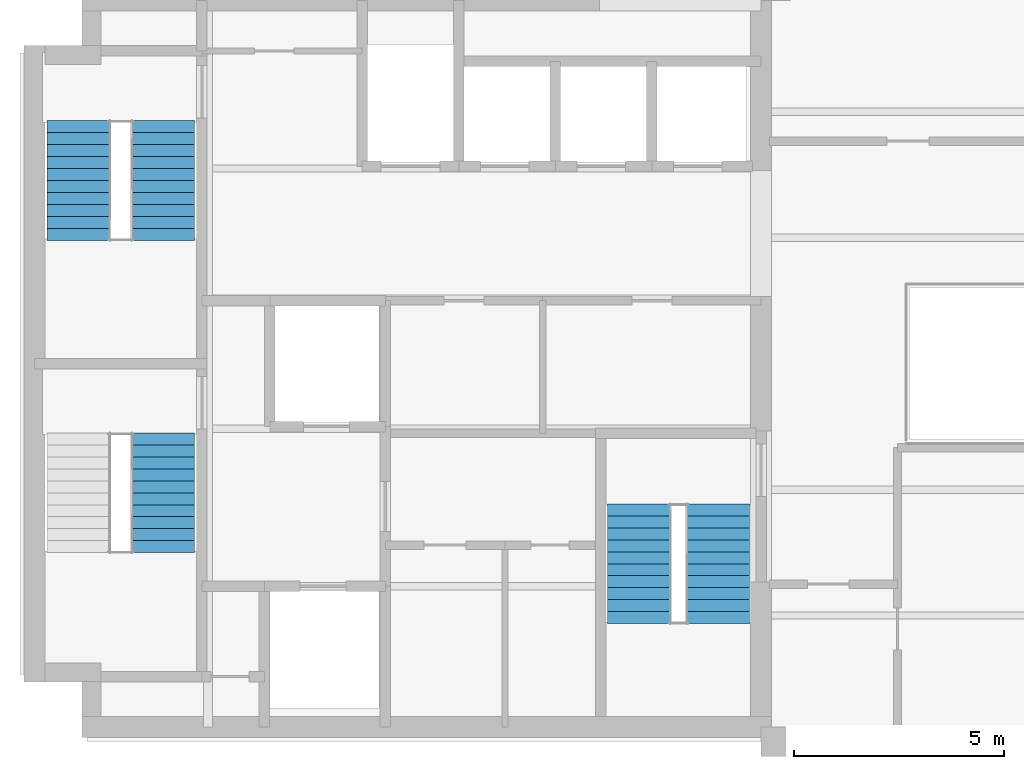
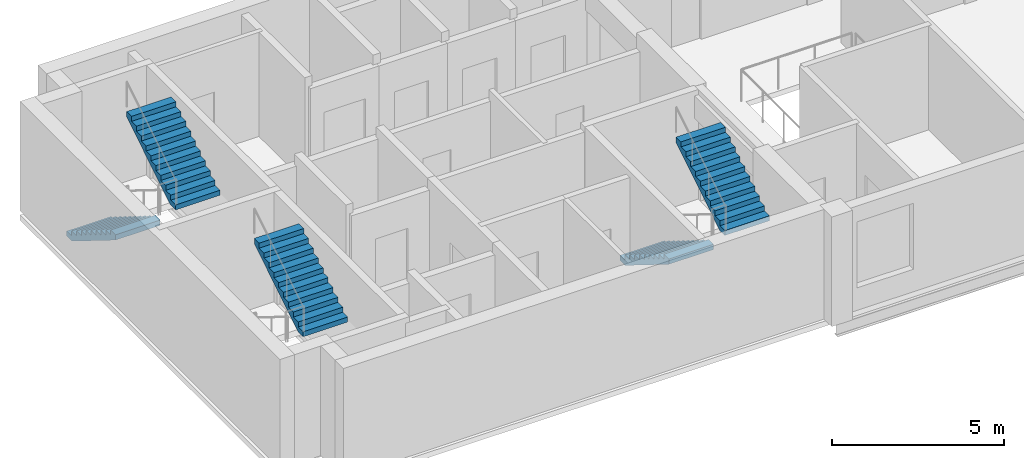
# One storey, part 4 of 5: 5 stair flights, 3 elements without a shape of their own.
"""IFC4 building model written with IfcOpenShell, lengths in metres."""

from ifc_helpers import new_model, si_unit, direction, frame, origin, place, context, subcontext, project, spatial, polyline, outline, extrude, material, type_object, element, aggregate, save


model = new_model("IFC4")

# Units and contexts
model_context = context("Model", 3, precision=1e-05, world=origin(), true_north=direction((0.0, 1.0)))
body_context = subcontext(model_context, "Body", "Model", "MODEL_VIEW")
ifc_project = project(units=[si_unit("LENGTHUNIT", "METRE"), si_unit("AREAUNIT", "SQUARE_METRE"), si_unit("VOLUMEUNIT", "CUBIC_METRE"), si_unit("PLANEANGLEUNIT", "RADIAN"), si_unit("MASSUNIT", "GRAM", prefix="KILO")], contexts=[model_context])

# Site, building, storey
site_placement = place(None, origin())
site = spatial("IfcSite", under=ifc_project, at=site_placement, CompositionType="ELEMENT")
building_placement = place(site_placement, origin())
building = spatial("IfcBuilding", under=site, at=building_placement, Name="Mawjdan Bourse Tower", CompositionType="ELEMENT")
storey_placement = place(building_placement, frame((0.0, 0.0, 297.60009765625)))
storey = spatial("IfcBuildingStorey", under=building, at=storey_placement, Name="L73", CompositionType="ELEMENT", Elevation=297.60009765625)

# Stair, stair flight
ifc_material = material(Name="Concrete C50/60", Category="concrete")
stair_type = type_object("IfcStairType", Name="STR-CORE-1500", PredefinedType="HALF_TURN_STAIR", material=ifc_material)
stair_1_placement = place(storey_placement, origin())
stair_1 = element("IfcStair", 1, at=stair_1_placement, inside=storey, type_object=stair_type, Name="L73 Exit Stair 1 (Core South-West)", PredefinedType="HALF_TURN_STAIR")
stair_flight_type = type_object("IfcStairFlightType", Name="SFL-RC-1500", PredefinedType="STRAIGHT", material=ifc_material)
stair_flight_1_placement = place(storey_placement, frame((9.409912109375, 7.5, 1.949951171875), z_axis=(0.0, 0.0, 1.0), x_axis=(0.0, 1.0, 0.0)))
stair_flight_1 = element("IfcStairFlight", 2, at=stair_flight_1_placement, type_object=stair_flight_type, Name="ST1-L73 flight 2", NumberOfRisers=11, NumberOfTreads=10, PredefinedType="STRAIGHT", RiserHeight=0.177273, TreadLength=0.285, context=body_context, shape_type="SweptSolid", body=[
    extrude(outline(polyline([(0.0, 0.0), (0.0, 0.17724609375), (0.284912109375, 0.17724609375), (0.284912109375, 0.3544921875), (0.570068359375, 0.3544921875), (0.570068359375, 0.53173828125), (0.85498046875, 0.53173828125), (0.85498046875, 0.708984375), (1.139892578125, 0.708984375), (1.139892578125, 0.886474609375), (1.425048828125, 0.886474609375), (1.425048828125, 1.063720703125), (1.7099609375, 1.063720703125), (1.7099609375, 1.240966796875), (1.9951171875, 1.240966796875), (1.9951171875, 1.418212890625), (2.280029296875, 1.418212890625), (2.280029296875, 1.595458984375), (2.56494140625, 1.595458984375), (2.56494140625, 1.772705078125), (2.85009765625, 1.772705078125), (2.85009765625, 1.949951171875), (2.85009765625, 1.58447265625), (0.302734375, 0.0), (0.0, 0.0)])), frame((0.0, 0.75, 0.0), z_axis=(0.0, -1.0, 0.0), x_axis=(1.0, 0.0, 0.0)), (0.0, 0.0, 1.0), 1.5),
])
aggregate(stair_1, [stair_flight_1])

# Stair, stair flights
stair_2_placement = place(storey_placement, origin())
stair_2 = element("IfcStair", 3, at=stair_2_placement, inside=storey, type_object=stair_type, Name="L73 Exit Stair 2 (Core North-West)", PredefinedType="HALF_TURN_STAIR")
stair_flight_2_placement = place(storey_placement, frame((7.389892578125, 17.7900390625, 0.0), z_axis=(0.0, 0.0, 1.0), x_axis=(0.0, -1.0, 0.0)))
stair_flight_2 = element("IfcStairFlight", 4, at=stair_flight_2_placement, type_object=stair_flight_type, Name="ST2-L73 flight 1", NumberOfRisers=11, NumberOfTreads=10, PredefinedType="STRAIGHT", RiserHeight=0.177273, TreadLength=0.285, context=body_context, shape_type="SweptSolid", body=[
    extrude(outline(polyline([(0.0, 0.0), (0.0, 0.17724609375), (0.284912109375, 0.17724609375), (0.284912109375, 0.3544921875), (0.570068359375, 0.3544921875), (0.570068359375, 0.53173828125), (0.85498046875, 0.53173828125), (0.85498046875, 0.708984375), (1.139892578125, 0.708984375), (1.139892578125, 0.886474609375), (1.425048828125, 0.886474609375), (1.425048828125, 1.063720703125), (1.7099609375, 1.063720703125), (1.7099609375, 1.240966796875), (1.9951171875, 1.240966796875), (1.9951171875, 1.418212890625), (2.280029296875, 1.418212890625), (2.280029296875, 1.595458984375), (2.56494140625, 1.595458984375), (2.56494140625, 1.772705078125), (2.85009765625, 1.772705078125), (2.85009765625, 1.949951171875), (2.85009765625, 1.58447265625), (0.302734375, 0.0), (0.0, 0.0)])), frame((0.0, 0.75, 0.0), z_axis=(0.0, -1.0, 0.0), x_axis=(1.0, 0.0, 0.0)), (0.0, 0.0, 1.0), 1.5),
])
stair_flight_3_placement = place(storey_placement, frame((9.409912109375, 14.93994140625, 1.949951171875), z_axis=(0.0, 0.0, 1.0), x_axis=(0.0, 1.0, 0.0)))
stair_flight_3 = element("IfcStairFlight", 5, at=stair_flight_3_placement, type_object=stair_flight_type, Name="ST2-L73 flight 2", NumberOfRisers=11, NumberOfTreads=10, PredefinedType="STRAIGHT", RiserHeight=0.177273, TreadLength=0.285, context=body_context, shape_type="SweptSolid", body=[
    extrude(outline(polyline([(0.0, 0.0), (0.0, 0.17724609375), (0.284912109375, 0.17724609375), (0.284912109375, 0.3544921875), (0.570068359375, 0.3544921875), (0.570068359375, 0.53173828125), (0.85498046875, 0.53173828125), (0.85498046875, 0.708984375), (1.139892578125, 0.708984375), (1.139892578125, 0.886474609375), (1.425048828125, 0.886474609375), (1.425048828125, 1.063720703125), (1.7099609375, 1.063720703125), (1.7099609375, 1.240966796875), (1.9951171875, 1.240966796875), (1.9951171875, 1.418212890625), (2.280029296875, 1.418212890625), (2.280029296875, 1.595458984375), (2.56494140625, 1.595458984375), (2.56494140625, 1.772705078125), (2.85009765625, 1.772705078125), (2.85009765625, 1.949951171875), (2.85009765625, 1.58447265625), (0.302734375, 0.0), (0.0, 0.0)])), frame((0.0, 0.75, 0.0), z_axis=(0.0, -1.0, 0.0), x_axis=(1.0, 0.0, 0.0)), (0.0, 0.0, 1.0), 1.5),
])
aggregate(stair_2, [stair_flight_2, stair_flight_3])

stair_3_placement = place(storey_placement, origin())
stair_3 = element("IfcStair", 6, at=stair_3_placement, inside=storey, type_object=stair_type, Name="L73 Exit Stair 7 (Core South-East)", PredefinedType="HALF_TURN_STAIR")
stair_flight_4_placement = place(storey_placement, frame((20.739990234375, 8.659912109375, 0.0), z_axis=(0.0, 0.0, 1.0), x_axis=(0.0, -1.0, 0.0)))
stair_flight_4 = element("IfcStairFlight", 7, at=stair_flight_4_placement, type_object=stair_flight_type, Name="ST7-L73 flight 1", NumberOfRisers=11, NumberOfTreads=10, PredefinedType="STRAIGHT", RiserHeight=0.177273, TreadLength=0.285, context=body_context, shape_type="SweptSolid", body=[
    extrude(outline(polyline([(0.0, 0.0), (0.0, 0.17724609375), (0.284912109375, 0.17724609375), (0.284912109375, 0.3544921875), (0.570068359375, 0.3544921875), (0.570068359375, 0.53173828125), (0.85498046875, 0.53173828125), (0.85498046875, 0.708984375), (1.139892578125, 0.708984375), (1.139892578125, 0.886474609375), (1.425048828125, 0.886474609375), (1.425048828125, 1.063720703125), (1.7099609375, 1.063720703125), (1.7099609375, 1.240966796875), (1.9951171875, 1.240966796875), (1.9951171875, 1.418212890625), (2.280029296875, 1.418212890625), (2.280029296875, 1.595458984375), (2.56494140625, 1.595458984375), (2.56494140625, 1.772705078125), (2.85009765625, 1.772705078125), (2.85009765625, 1.949951171875), (2.85009765625, 1.58447265625), (0.302734375, 0.0), (0.0, 0.0)])), frame((0.0, 0.75, 0.0), z_axis=(0.0, -1.0, 0.0), x_axis=(1.0, 0.0, 0.0)), (0.0, 0.0, 1.0), 1.5),
])
stair_flight_5_placement = place(storey_placement, frame((22.6298828125, 5.81005859375, 1.949951171875), z_axis=(0.0, 0.0, 1.0), x_axis=(0.0, 1.0, 0.0)))
stair_flight_5 = element("IfcStairFlight", 8, at=stair_flight_5_placement, type_object=stair_flight_type, Name="ST7-L73 flight 2", NumberOfRisers=11, NumberOfTreads=10, PredefinedType="STRAIGHT", RiserHeight=0.177273, TreadLength=0.285, context=body_context, shape_type="SweptSolid", body=[
    extrude(outline(polyline([(0.0, 0.0), (0.0, 0.17724609375), (0.284912109375, 0.17724609375), (0.284912109375, 0.3544921875), (0.570068359375, 0.3544921875), (0.570068359375, 0.53173828125), (0.85498046875, 0.53173828125), (0.85498046875, 0.708984375), (1.139892578125, 0.708984375), (1.139892578125, 0.886474609375), (1.425048828125, 0.886474609375), (1.425048828125, 1.063720703125), (1.7099609375, 1.063720703125), (1.7099609375, 1.240966796875), (1.9951171875, 1.240966796875), (1.9951171875, 1.418212890625), (2.280029296875, 1.418212890625), (2.280029296875, 1.595458984375), (2.56494140625, 1.595458984375), (2.56494140625, 1.772705078125), (2.85009765625, 1.772705078125), (2.85009765625, 1.949951171875), (2.85009765625, 1.58447265625), (0.302734375, 0.0), (0.0, 0.0)])), frame((0.0, 0.75, 0.0), z_axis=(0.0, -1.0, 0.0), x_axis=(1.0, 0.0, 0.0)), (0.0, 0.0, 1.0), 1.5),
])
aggregate(stair_3, [stair_flight_4, stair_flight_5])

save(model, "model.ifc")
